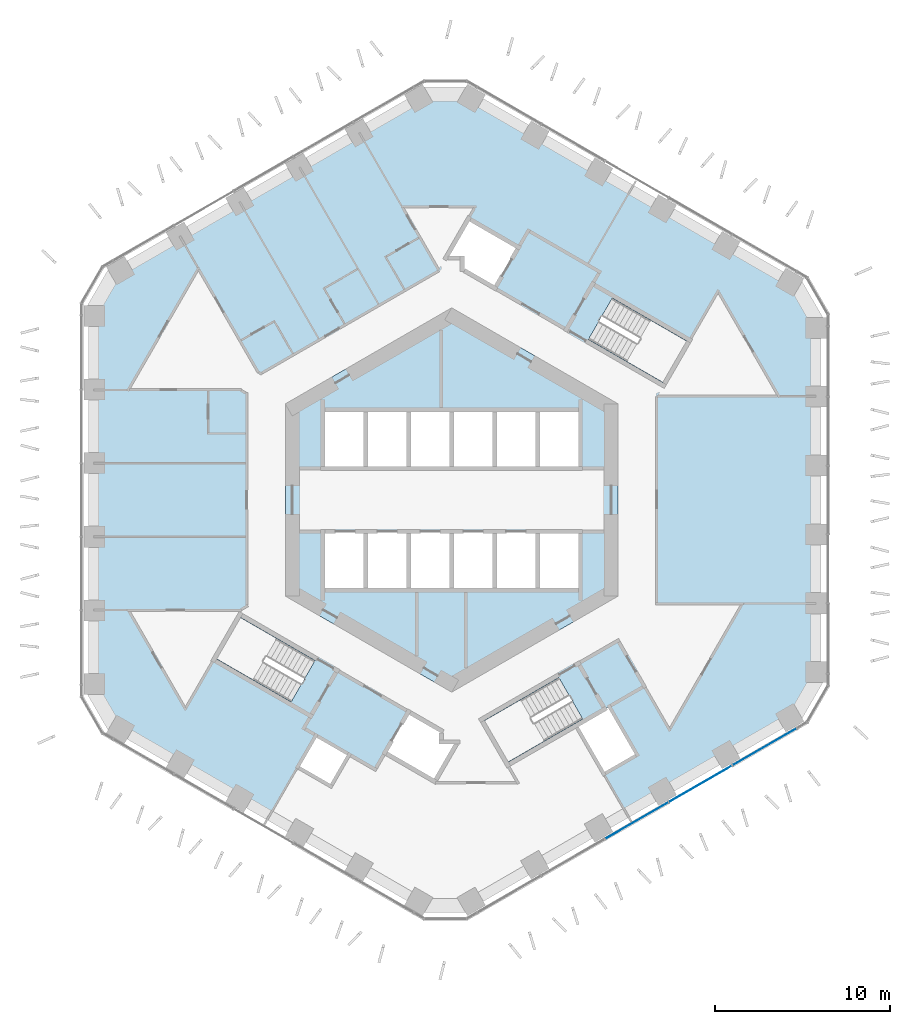
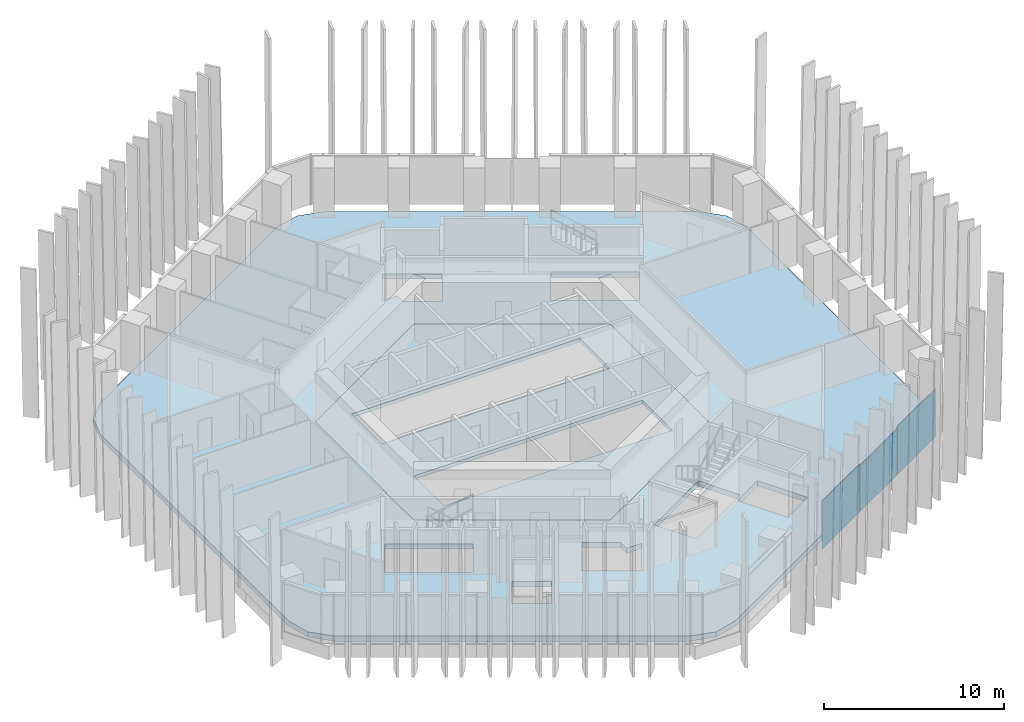
# One storey, part 10 of 19: 3 plates, 2 slabs, 1 element without a shape of its own.
"""IFC4 building model written with IfcOpenShell, lengths in metres."""

from ifc_helpers import new_model, si_unit, direction, frame, origin, origin_2d, place, context, subcontext, project, spatial, polyline, rectangle, outline, extrude, material, layer, layer_set, type_object, element, aggregate, save


model = new_model("IFC4")

# Units and contexts
model_context = context("Model", 3, precision=1e-05, world=origin(), true_north=direction((0.0, 1.0)))
body_context = subcontext(model_context, "Body", "Model", "MODEL_VIEW")
ifc_project = project(units=[si_unit("LENGTHUNIT", "METRE"), si_unit("AREAUNIT", "SQUARE_METRE"), si_unit("VOLUMEUNIT", "CUBIC_METRE"), si_unit("PLANEANGLEUNIT", "RADIAN"), si_unit("MASSUNIT", "GRAM", prefix="KILO")], contexts=[model_context])

# Site, building, storey
site_placement = place(None, origin())
site = spatial("IfcSite", under=ifc_project, at=site_placement, CompositionType="ELEMENT")
building_placement = place(site_placement, origin())
building = spatial("IfcBuilding", under=site, at=building_placement, Name="Ayvan Gate Tower", CompositionType="ELEMENT")
storey_placement = place(building_placement, frame((0.0, 0.0, 45.89990234375)))
storey = spatial("IfcBuildingStorey", under=building, at=storey_placement, Name="L11", CompositionType="ELEMENT", Elevation=45.89990234375)

# Slabs
ifc_material_1 = material(Name="Concrete C40/50", Category="concrete")
ifc_layer_1 = layer(ifc_material_1, 0.35009765625)
ifc_layer_set_1 = layer_set([ifc_layer_1], Name="Concrete C40/50")
slab_type_1 = type_object("IfcSlabType", Name="Post-tensioned flat slab 350", PredefinedType="FLOOR", material=ifc_layer_set_1)
slab_1_placement = place(storey_placement, frame((0.0, 0.0, -0.349853515625)))
element("IfcSlab", 1, at=slab_1_placement, inside=storey, type_object=slab_type_1, Name="SL-L11", PredefinedType="FLOOR", context=body_context, shape_type="SweptSolid", body=[
    extrude(outline(polyline([(-1.856201171875, -22.928466796875), (-18.928466796875, -13.071533203125), (-20.026611328125, -11.9736328125), (-20.428466796875, -10.4736328125), (-20.428466796875, 10.4736328125), (-20.026611328125, 11.9736328125), (-18.928466796875, 13.071533203125), (-1.856201171875, 22.928466796875), (-0.356201171875, 23.330322265625), (1.143798828125, 22.928466796875), (19.28466796875, 12.454833984375), (20.382568359375, 11.356689453125), (20.78466796875, 9.856689453125), (20.78466796875, -9.856689453125), (20.382568359375, -11.356689453125), (19.28466796875, -12.454833984375), (1.143798828125, -22.928466796875), (-0.356201171875, -23.330322265625), (-1.856201171875, -22.928466796875)]), holes=[polyline([(9.1611328125, 11.517578125), (7.80615234375, 9.170654296875), (12.049560546875, 6.720458984375), (13.404541015625, 9.0673828125), (9.1611328125, 11.517578125)]), polyline([(8.995361328125, -11.780517578125), (8.735595703125, -11.9306640625), (7.090087890625, -12.880615234375), (8.33740234375, -15.040771484375), (8.521484375, -15.359619140625), (8.690185546875, -15.65185546875), (10.595458984375, -14.5517578125), (8.995361328125, -11.780517578125)]), polyline([(-9.5, 5.48486328125), (-9.5, -5.48486328125), (0.0, -10.9697265625), (9.5, -5.48486328125), (9.5, 5.48486328125), (0.0, 10.9697265625), (-9.5, 5.48486328125)]), polyline([(7.472412109375, -12.492431640625), (6.117431640625, -10.1455078125), (1.873779296875, -12.595458984375), (3.228759765625, -14.9423828125), (7.472412109375, -12.492431640625)]), polyline([(3.822509765625, 14.420654296875), (0.964599609375, 16.07080078125), (-0.340576171875, 13.81005859375), (0.60009765625, 13.81005859375), (0.60009765625, 13.16357421875), (2.472412109375, 12.08251953125), (3.822509765625, 14.420654296875)]), polyline([(-0.60009765625, -13.81005859375), (-0.60009765625, -13.16357421875), (-2.472412109375, -12.08251953125), (-3.822509765625, -14.420654296875), (-0.964599609375, -16.07080078125), (0.340576171875, -13.81005859375), (-0.60009765625, -13.81005859375)]), polyline([(-8.800048828125, -15.241943359375), (-6.894775390625, -16.342041015625), (-5.8447265625, -14.5234375), (-7.75, -13.42333984375), (-8.800048828125, -15.241943359375)]), polyline([(-12.049560546875, -6.720458984375), (-13.404541015625, -9.0673828125), (-9.1611328125, -11.517578125), (-7.80615234375, -9.170654296875), (-12.049560546875, -6.720458984375)])]), origin(), (0.0, 0.0, 1.0), 0.349853515625),
])
ifc_layer_2 = layer(ifc_material_1, 0.25)
ifc_layer_set_2 = layer_set([ifc_layer_2], Name="Concrete C40/50")
slab_type_2 = type_object("IfcSlabType", Name="SL-CORE-250", PredefinedType="FLOOR", material=ifc_layer_set_2)
slab_2_placement = place(storey_placement, frame((0.0, 0.0, -0.25)))
element("IfcSlab", 2, at=slab_2_placement, inside=storey, type_object=slab_type_2, Name="CS-L11", PredefinedType="FLOOR", context=body_context, shape_type="SweptSolid", body=[
    extrude(outline(polyline([(9.5, -5.48486328125), (0.0, -10.9697265625), (-9.5, -5.48486328125), (-9.5, 5.48486328125), (0.0, 10.9697265625), (9.5, 5.48486328125), (9.5, -5.48486328125)]), holes=[polyline([(-7.35009765625, -1.800048828125), (-7.35009765625, -5.14990234375), (7.35009765625, -5.14990234375), (7.35009765625, -1.800048828125), (-7.35009765625, -1.800048828125)]), polyline([(-7.35009765625, 5.14990234375), (-7.35009765625, 1.800048828125), (7.35009765625, 1.800048828125), (7.35009765625, 5.14990234375), (-7.35009765625, 5.14990234375)])]), origin(), (0.0, 0.0, 1.0), 0.25),
])

# Curtain wall, plates
ifc_material_2 = material(Name="Bronze anodised aluminium", Category="aluminium")
ifc_layer_3 = layer(ifc_material_2, 0.199951171875)
ifc_layer_set_3 = layer_set([ifc_layer_3], Name="Bronze anodised aluminium")
curtain_wall_type = type_object("IfcCurtainWallType", Name="Stick curtain wall CW-1", PredefinedType="NOTDEFINED", material=ifc_layer_set_3)
curtain_wall_placement = place(storey_placement, origin())
curtain_wall = element("IfcCurtainWall", 3, at=curtain_wall_placement, inside=storey, type_object=curtain_wall_type, Name="Stick curtain wall CW-1 L11", PredefinedType="NOTDEFINED")
ifc_material_3 = material(Name="Clear low-iron laminated glass", Category="glass")
ifc_layer_4 = layer(ifc_material_3, 0.028076171875)
ifc_layer_set_4 = layer_set([ifc_layer_4], Name="Clear low-iron laminated glass")
plate_type = type_object("IfcPlateType", Name="Stick curtain wall CW-1 glass panel", PredefinedType="CURTAIN_PANEL", material=ifc_layer_set_4)
plate_1_placement = place(storey_placement, frame((10.564453125, -18.297607421875, 0.0), z_axis=(0.0, 0.0, 1.0), x_axis=(0.866025403784, 0.5, 0.0)))
plate_1 = element("IfcPlate", 4, at=plate_1_placement, type_object=plate_type, Name="CW-1 glass panel 3", PredefinedType="CURTAIN_PANEL", context=body_context, shape_type="SweptSolid", body=[
    extrude(rectangle(XDim=4.135986328125, YDim=0.028076171875, at=origin_2d()), origin(), (0.0, 0.0, 1.0), 3.280029296875),
])
plate_2_placement = place(storey_placement, frame((14.198486328125, -16.19970703125, 0.000244140625), z_axis=(0.0, 0.0, 1.0), x_axis=(0.866025403784, 0.5, 0.0)))
plate_2 = element("IfcPlate", 5, at=plate_2_placement, type_object=plate_type, Name="CW-1 glass panel 4", PredefinedType="CURTAIN_PANEL", context=body_context, shape_type="SweptSolid", body=[
    extrude(rectangle(XDim=4.135986328125, YDim=0.028076171875, at=origin_2d()), origin(), (0.0, 0.0, 1.0), 3.14990234375),
])
plate_3_placement = place(storey_placement, frame((17.86474609375, -14.082763671875, 0.0), z_axis=(0.0, 0.0, 1.0), x_axis=(0.866025403784, 0.5, 0.0)))
plate_3 = element("IfcPlate", 6, at=plate_3_placement, type_object=plate_type, Name="CW-1 glass panel 5", PredefinedType="CURTAIN_PANEL", context=body_context, shape_type="SweptSolid", body=[
    extrude(rectangle(XDim=4.21142578125, YDim=0.028076171875, at=origin_2d()), origin(), (0.0, 0.0, 1.0), 3.280029296875),
])
aggregate(curtain_wall, [plate_1, plate_2, plate_3])

save(model, "model.ifc")
